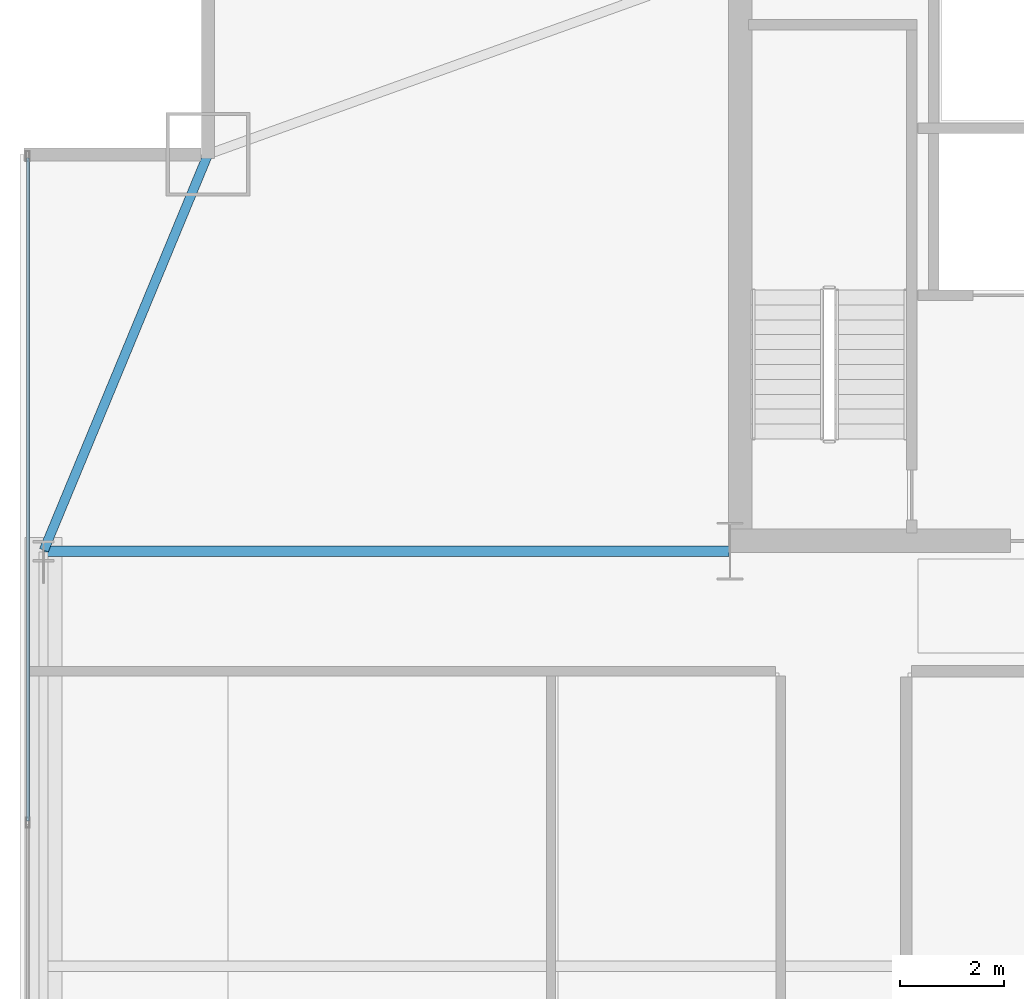
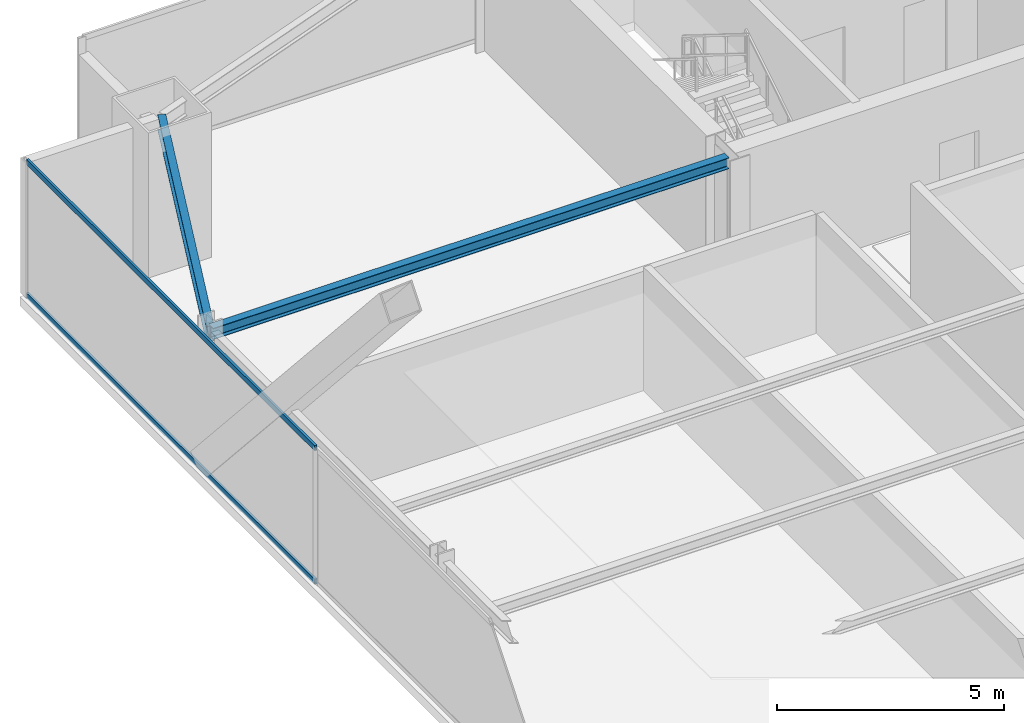
# One storey, part 20 of 32: 2 beams, 2 members, 1 element without a shape of its own.
"""IFC4 building model written with IfcOpenShell, lengths in metres."""

from ifc_helpers import new_model, si_unit, direction, frame, origin, origin_2d, place, context, subcontext, project, spatial, hollow_rectangle, i_section, extrude, source, transform, mapped, material, layer, layer_set, material_profile, profile_set, type_object, type_shapes, element, aggregate, save


model = new_model("IFC4")

# Units and contexts
model_context = context("Model", 3, precision=1e-05, world=origin(), true_north=direction((0.0, 1.0)))
body_context = subcontext(model_context, "Body", "Model", "MODEL_VIEW")
ifc_project = project(units=[si_unit("LENGTHUNIT", "METRE"), si_unit("AREAUNIT", "SQUARE_METRE"), si_unit("VOLUMEUNIT", "CUBIC_METRE"), si_unit("PLANEANGLEUNIT", "RADIAN"), si_unit("MASSUNIT", "GRAM", prefix="KILO")], contexts=[model_context])

# Site, building, storey
site_placement = place(None, origin())
site = spatial("IfcSite", under=ifc_project, at=site_placement, CompositionType="ELEMENT")
building_placement = place(site_placement, origin())
building = spatial("IfcBuilding", under=site, at=building_placement, Name="Varnel Quay Broadcast Tower", CompositionType="ELEMENT")
storey_placement = place(building_placement, frame((0.0, 0.0, 58.800048828125)))
storey = spatial("IfcBuildingStorey", under=building, at=storey_placement, Name="L13", CompositionType="ELEMENT", Elevation=58.800048828125)

# Beams
ifc_material_1 = material(Name="Structural Steel CSA G40.21 350W", Category="steel")
ifc_material_profile_1 = material_profile(ifc_material_1, i_section(OverallWidth=0.180908203125, OverallDepth=0.4169921875, WebThickness=0.010986328125, FlangeThickness=0.018310546875, FilletRadius=0.011962890625, at=origin_2d()), Name="W410X85")
ifc_profile_set_1 = profile_set([ifc_material_profile_1], Name="Structural Steel CSA G40.21 350W")
beam_type_1 = type_object("IfcBeamType", Name="Beam_W410X85", PredefinedType="SPANDREL", material=ifc_profile_set_1)
shared_shape_1 = source(origin(), body_context, "Body", "SweptSolid", [
    extrude(i_section(OverallWidth=0.180908203125, OverallDepth=0.4169921875, WebThickness=0.010986328125, FlangeThickness=0.018310546875, FilletRadius=0.011962890625, at=origin_2d()), origin(), (0.0, 0.0, 1.0), 8.186767578125),
])
type_shapes(beam_type_1, [shared_shape_1])
beam_1_placement = place(storey_placement, frame((2.457763671875, 35.618408203125, 3.44140625), z_axis=(0.382874132092, 0.923800519038, 0.0), x_axis=(-0.923800519038, 0.382874132092, 0.0)))
element("IfcBeam", 1, at=beam_1_placement, inside=storey, type_object=beam_type_1, Name="L13 West Spandrel TC-W3-MC-NW", PredefinedType="SPANDREL", context=body_context, shape_type="MappedRepresentation", body=[
    mapped(shared_shape_1, transform((0.0, 0.0, 0.0), x_axis=(1.0, 0.0, 0.0), y_axis=(0.0, 1.0, 0.0), z_axis=(0.0, 0.0, 1.0), scale=1.0)),
])
ifc_material_profile_2 = material_profile(ifc_material_1, i_section(OverallWidth=0.202880859375, OverallDepth=0.302978515625, WebThickness=0.007568359375, FlangeThickness=0.01318359375, FilletRadius=0.011962890625, at=origin_2d()), Name="W310X60")
ifc_profile_set_2 = profile_set([ifc_material_profile_2], Name="Structural Steel CSA G40.21 350W")
beam_type_2 = type_object("IfcBeamType", Name="Beam_W310X60", PredefinedType="JOIST", material=ifc_profile_set_2)
shared_shape_2 = source(origin(), body_context, "Body", "SweptSolid", [
    extrude(i_section(OverallWidth=0.202880859375, OverallDepth=0.302978515625, WebThickness=0.007568359375, FlangeThickness=0.01318359375, FilletRadius=0.011962890625, at=origin_2d()), origin(), (0.0, 0.0, 1.0), 13.110107421875),
])
type_shapes(beam_type_2, [shared_shape_2])
beam_2_placement = place(storey_placement, frame((2.469970703125, 35.60009765625, 3.49853515625), z_axis=(1.0, 0.0, 0.0), x_axis=(0.0, 1.0, 0.0)))
element("IfcBeam", 2, at=beam_2_placement, inside=storey, type_object=beam_type_2, Name="L13 West Core Tie Joist", PredefinedType="JOIST", context=body_context, shape_type="MappedRepresentation", body=[
    mapped(shared_shape_2, transform((0.0, 0.0, 0.0), x_axis=(1.0, 0.0, 0.0), y_axis=(0.0, 1.0, 0.0), z_axis=(0.0, 0.0, 1.0), scale=1.0)),
])

# Curtain wall, members
ifc_material_2 = material(Name="Anodised Bronze Aluminium 6063-T6", Category="aluminium")
ifc_layer = layer(ifc_material_2, 0.18994140625, Name="Anodised Bronze Aluminium 6063-T6")
ifc_layer_set = layer_set([ifc_layer], Name="Anodised Bronze Aluminium 6063-T6")
curtain_wall_type = type_object("IfcCurtainWallType", Name="CW_LowerTower", PredefinedType="NOTDEFINED", material=ifc_layer_set)
curtain_wall_placement = place(storey_placement, origin())
curtain_wall = element("IfcCurtainWall", 3, at=curtain_wall_placement, inside=storey, type_object=curtain_wall_type, Name="L13 West Unitised Curtain Wall", PredefinedType="NOTDEFINED")
ifc_material_profile_3 = material_profile(ifc_material_2, hollow_rectangle(XDim=0.06005859375, YDim=0.14501953125, WallThickness=0.00341796875, at=origin_2d()), Name="ALU60X145X3.5")
ifc_profile_set_3 = profile_set([ifc_material_profile_3], Name="Anodised Bronze Aluminium 6063-T6")
member_type = type_object("IfcMemberType", Name="Tran_CWS-02", PredefinedType="USERDEFINED", material=ifc_profile_set_3)
shared_shape_3 = source(origin(), body_context, "Body", "SweptSolid", [
    extrude(hollow_rectangle(XDim=0.06005859375, YDim=0.14501953125, WallThickness=0.00341796875, at=origin_2d()), origin(), (0.0, 0.0, 1.0), 12.69482421875),
])
type_shapes(member_type, [shared_shape_3])
member_1_placement = place(storey_placement, frame((2.14990234375, 30.43505859375, 0.030029296875), z_axis=(0.0, 1.0, 0.0), x_axis=(-1.0, 0.0, 0.0)))
member_1 = element("IfcMember", 4, at=member_1_placement, type_object=member_type, Name="CWS-02 transom 3.1", ObjectType="TRANSOM", PredefinedType="USERDEFINED", context=body_context, shape_type="MappedRepresentation", body=[
    mapped(shared_shape_3, transform((0.0, 0.0, 0.0), x_axis=(1.0, 0.0, 0.0), y_axis=(0.0, 1.0, 0.0), z_axis=(0.0, 0.0, 1.0), scale=1.0)),
])
member_2_placement = place(storey_placement, frame((2.14990234375, 30.43505859375, 3.619873046875), z_axis=(0.0, 1.0, 0.0), x_axis=(-1.0, 0.0, 0.0)))
member_2 = element("IfcMember", 5, at=member_2_placement, type_object=member_type, Name="CWS-02 transom 3.2", ObjectType="TRANSOM", PredefinedType="USERDEFINED", context=body_context, shape_type="MappedRepresentation", body=[
    mapped(shared_shape_3, transform((0.0, 0.0, 0.0), x_axis=(1.0, 0.0, 0.0), y_axis=(0.0, 1.0, 0.0), z_axis=(0.0, 0.0, 1.0), scale=1.0)),
])
aggregate(curtain_wall, [member_1, member_2])

save(model, "model.ifc")
